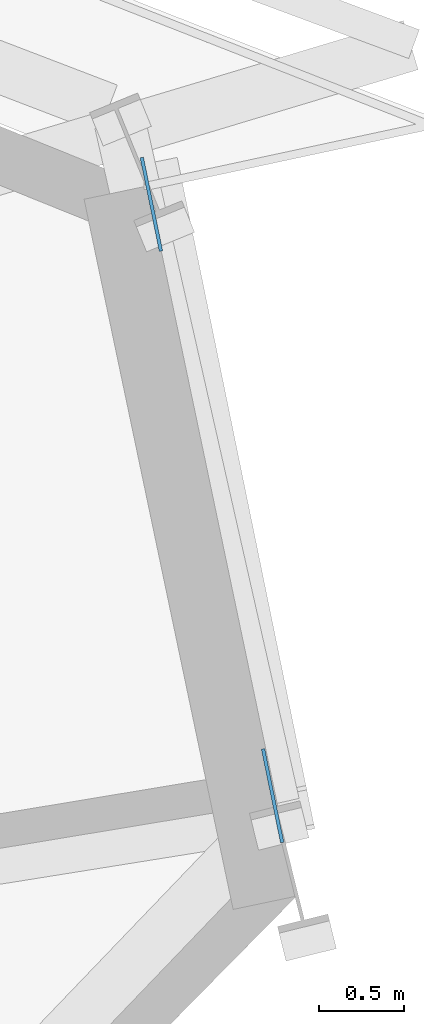
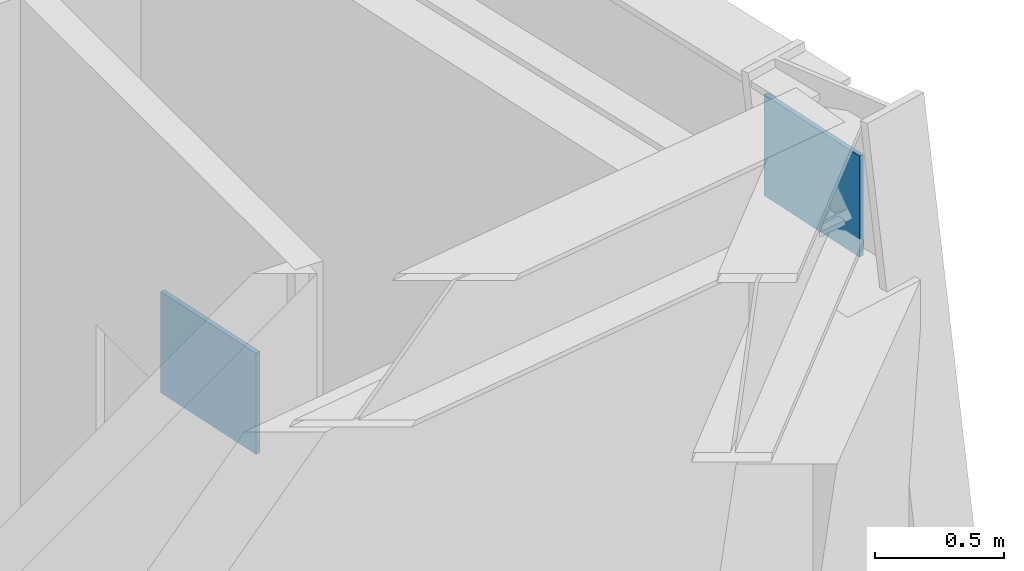
# One storey, part 11 of 19: 2 plates.
"""IFC4 building model written with IfcOpenShell, lengths in metres."""

from ifc_helpers import new_model, si_unit, direction, frame, origin, origin_2d, place, context, subcontext, project, spatial, rectangle, extrude, source, transform, mapped, material, type_object, element, save


model = new_model("IFC4")

# Units and contexts
model_context = context("Model", 3, precision=1e-05, world=origin(), true_north=direction((0.0, 1.0)))
body_context = subcontext(model_context, "Body", "Model", "MODEL_VIEW")
ifc_project = project(units=[si_unit("LENGTHUNIT", "METRE"), si_unit("AREAUNIT", "SQUARE_METRE"), si_unit("VOLUMEUNIT", "CUBIC_METRE"), si_unit("PLANEANGLEUNIT", "RADIAN"), si_unit("MASSUNIT", "GRAM", prefix="KILO")], contexts=[model_context])

# Site, building, storey
site_placement = place(None, origin())
site = spatial("IfcSite", under=ifc_project, at=site_placement, CompositionType="ELEMENT")
building_placement = place(site_placement, origin())
building = spatial("IfcBuilding", under=site, at=building_placement, Name="Olszyna Solenne Hotel", CompositionType="ELEMENT")
storey_placement = place(building_placement, frame((0.0, 0.0, 84.39990234375)))
storey = spatial("IfcBuildingStorey", under=building, at=storey_placement, Name="L21", CompositionType="ELEMENT", Elevation=84.39990234375)

# Plates
ifc_material = material(Name="Steel S355J2", Category="steel")
plate_type = type_object("IfcPlateType", Name="GP-ND2", PredefinedType="USERDEFINED", material=ifc_material)
shared_shape = source(origin(), body_context, "Body", "SweptSolid", [
    extrude(rectangle(XDim=0.56005859375, YDim=0.02001953125, at=origin_2d()), origin(), (0.0, 0.0, 1.0), 0.47998046875),
])
for number, where, z_axis, x_axis, name in (
    (1, (67.230712890625, 34.96142578125, -0.143310546875), (0.0, 0.0, 1.0), (0.200735972635, -0.979645379354, 0.0), "Brace end connection gusset plate GP-ND2 EP-BR-L21-1-1"),
    (2, (67.9404296875, 31.49951171875, 2.643310546875), (0.0, 0.0, 1.0), (0.200735972635, -0.979645379354, 0.0), "Brace end connection gusset plate GP-ND2 EP-BR-L21-1-2"),
):
    element("IfcPlate", number, at=place(storey_placement, frame(where, z_axis=z_axis, x_axis=x_axis)), inside=storey, type_object=plate_type, Name=name, ObjectType="GUSSET_PLATE", PredefinedType="USERDEFINED", context=body_context, shape_type="MappedRepresentation", body=[
        mapped(shared_shape, transform((0.0, 0.0, 0.0), x_axis=(1.0, 0.0, 0.0), y_axis=(0.0, 1.0, 0.0), z_axis=(0.0, 0.0, 1.0), scale=1.0)),
    ])

save(model, "model.ifc")
